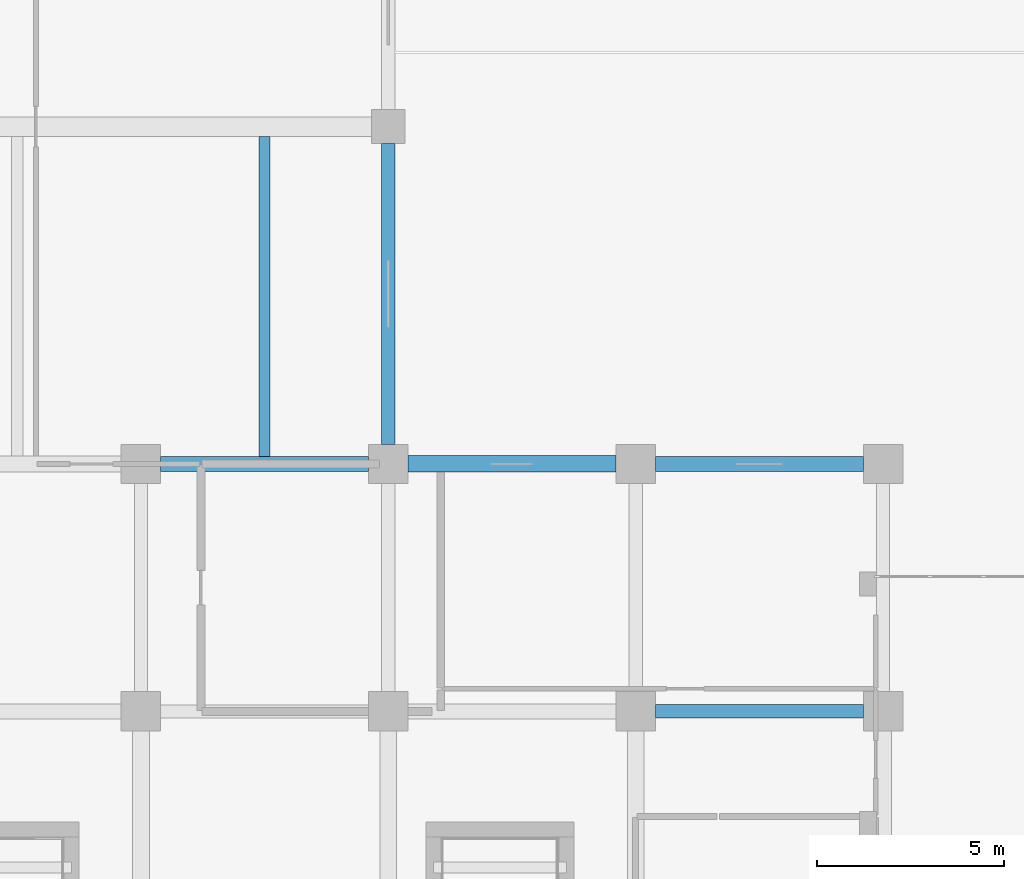
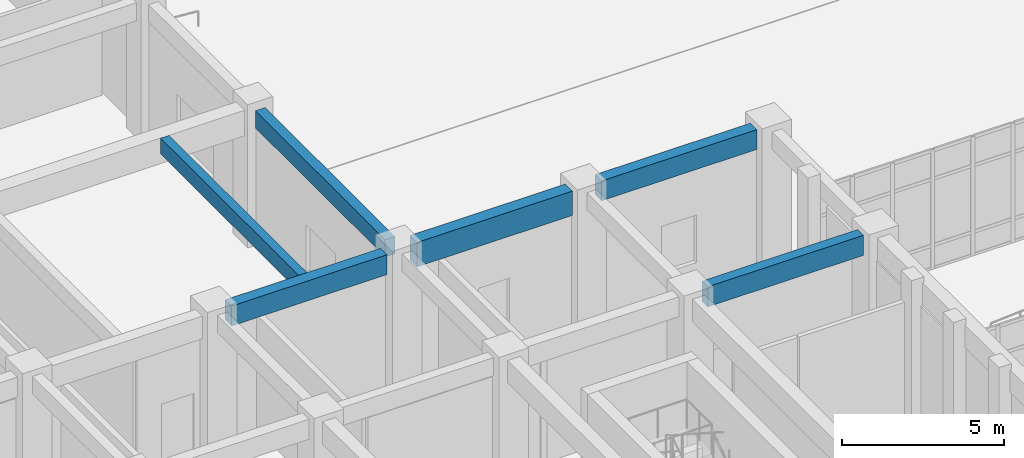
# One storey, part 8 of 70: 6 beams.
"""IFC4 building model written with IfcOpenShell, lengths in metres."""

from ifc_helpers import new_model, si_unit, direction, frame, origin, origin_2d, place, context, subcontext, project, spatial, rectangle, extrude, material, material_profile, profile_set, type_object, element, save


model = new_model("IFC4")

# Units and contexts
model_context = context("Model", 3, precision=1e-05, world=origin(), true_north=direction((0.0, 1.0)))
body_context = subcontext(model_context, "Body", "Model", "MODEL_VIEW")
ifc_project = project(units=[si_unit("LENGTHUNIT", "METRE"), si_unit("AREAUNIT", "SQUARE_METRE"), si_unit("VOLUMEUNIT", "CUBIC_METRE"), si_unit("PLANEANGLEUNIT", "RADIAN"), si_unit("MASSUNIT", "GRAM", prefix="KILO")], contexts=[model_context])

# Site, building, storey
site_placement = place(None, origin())
site = spatial("IfcSite", under=ifc_project, at=site_placement, CompositionType="ELEMENT")
building_placement = place(site_placement, origin())
building = spatial("IfcBuilding", under=site, at=building_placement, Name="Miralva Faculty of Natural Sciences", CompositionType="ELEMENT")
storey_placement = place(building_placement, origin())
storey = spatial("IfcBuildingStorey", under=building, at=storey_placement, Name="L00", CompositionType="ELEMENT", Elevation=0.0)

# Beams
ifc_material = material(Name="Concrete C40/50", Category="concrete")
ifc_material_profile_1 = material_profile(ifc_material, rectangle(XDim=0.39990234375, YDim=0.75, at=origin_2d()), Name="RC 400x750")
ifc_profile_set_1 = profile_set([ifc_material_profile_1], Name="Concrete C40/50")
beam_type_1 = type_object("IfcBeamType", Name="BM-B03", PredefinedType="BEAM", material=ifc_profile_set_1)
beam_1_placement = place(storey_placement, frame((16.72509765625, 30.0, 4.705078125), z_axis=(1.0, 0.0, 0.0), x_axis=(0.0, 1.0, 0.0)))
element("IfcBeam", 1, at=beam_1_placement, inside=storey, type_object=beam_type_1, Name="Girder EW L00-34", PredefinedType="BEAM", context=body_context, shape_type="SweptSolid", body=[
    extrude(rectangle(XDim=0.39990234375, YDim=0.75, at=origin_2d()), origin(), (0.0, 0.0, 1.0), 5.5498046875),
])
beam_2_placement = place(storey_placement, frame((29.925048828125, 30.0, 4.804931640625), z_axis=(1.0, 0.0, 0.0), x_axis=(0.0, 1.0, 0.0)))
element("IfcBeam", 2, at=beam_2_placement, inside=storey, type_object=beam_type_1, Name="Girder EW L00-36", PredefinedType="BEAM", context=body_context, shape_type="SweptSolid", body=[
    extrude(rectangle(XDim=0.39990234375, YDim=0.75, at=origin_2d()), origin(), (0.0, 0.0, 1.0), 5.550048828125),
])
ifc_material_profile_2 = material_profile(ifc_material, rectangle(XDim=0.35009765625, YDim=0.64990234375, at=origin_2d()), Name="RC 350x650")
ifc_profile_set_2 = profile_set([ifc_material_profile_2], Name="Concrete C40/50")
beam_type_2 = type_object("IfcBeamType", Name="BM-B05", PredefinedType="BEAM", material=ifc_profile_set_2)
beam_3_placement = place(storey_placement, frame((22.800048828125, 30.52490234375, 4.7548828125), z_axis=(0.0, 1.0, 0.0), x_axis=(-1.0, 0.0, 0.0)))
element("IfcBeam", 3, at=beam_3_placement, inside=storey, type_object=beam_type_2, Name="Girder NS L00-143", PredefinedType="BEAM", context=body_context, shape_type="SweptSolid", body=[
    extrude(rectangle(XDim=0.35009765625, YDim=0.64990234375, at=origin_2d()), origin(), (0.0, 0.0, 1.0), 8.025146484375),
])
ifc_material_profile_3 = material_profile(ifc_material, rectangle(XDim=0.360107421875, YDim=0.760009765625, at=origin_2d()), Name="RC 360x760")
ifc_profile_set_3 = profile_set([ifc_material_profile_3], Name="Concrete C40/50")
beam_type_3 = type_object("IfcBeamType", Name="BM-BG06", PredefinedType="BEAM", material=ifc_profile_set_3)
beam_4_placement = place(storey_placement, frame((29.925048828125, 23.39990234375, 4.800048828125), z_axis=(1.0, 0.0, 0.0), x_axis=(0.0, 1.0, 0.0)))
element("IfcBeam", 4, at=beam_4_placement, inside=storey, type_object=beam_type_3, Name="Girder EW L00-27", PredefinedType="BEAM", context=body_context, shape_type="SweptSolid", body=[
    extrude(rectangle(XDim=0.360107421875, YDim=0.760009765625, at=origin_2d()), origin(), (0.0, 0.0, 1.0), 5.550048828125),
])
ifc_material_profile_4 = material_profile(ifc_material, rectangle(XDim=0.43994140625, YDim=0.919921875, at=origin_2d()), Name="RC 440x920")
ifc_profile_set_4 = profile_set([ifc_material_profile_4], Name="Concrete C40/50")
beam_type_4 = type_object("IfcBeamType", Name="BM-BG14", PredefinedType="BEAM", material=ifc_profile_set_4)
beam_5_placement = place(storey_placement, frame((23.324951171875, 30.0, 4.719970703125), z_axis=(1.0, 0.0, 0.0), x_axis=(0.0, 1.0, 0.0)))
element("IfcBeam", 5, at=beam_5_placement, inside=storey, type_object=beam_type_4, Name="Girder EW L00-35", PredefinedType="BEAM", context=body_context, shape_type="SweptSolid", body=[
    extrude(rectangle(XDim=0.43994140625, YDim=0.919921875, at=origin_2d()), origin(), (0.0, 0.0, 1.0), 5.550048828125),
])
ifc_material_profile_5 = material_profile(ifc_material, rectangle(XDim=0.300048828125, YDim=0.60009765625, at=origin_2d()), Name="RC 300x600")
ifc_profile_set_5 = profile_set([ifc_material_profile_5], Name="Concrete C40/50")
beam_type_5 = type_object("IfcBeamType", Name="BM-J01", PredefinedType="JOIST", material=ifc_profile_set_5)
beam_6_placement = place(storey_placement, frame((19.5, 30.199951171875, 4.780029296875), z_axis=(0.0, 1.0, 0.0), x_axis=(-1.0, 0.0, 0.0)))
element("IfcBeam", 6, at=beam_6_placement, inside=storey, type_object=beam_type_5, Name="Floor joist L00-8", PredefinedType="JOIST", context=body_context, shape_type="SweptSolid", body=[
    extrude(rectangle(XDim=0.300048828125, YDim=0.60009765625, at=origin_2d()), origin(), (0.0, 0.0, 1.0), 8.5400390625),
])

save(model, "model.ifc")
